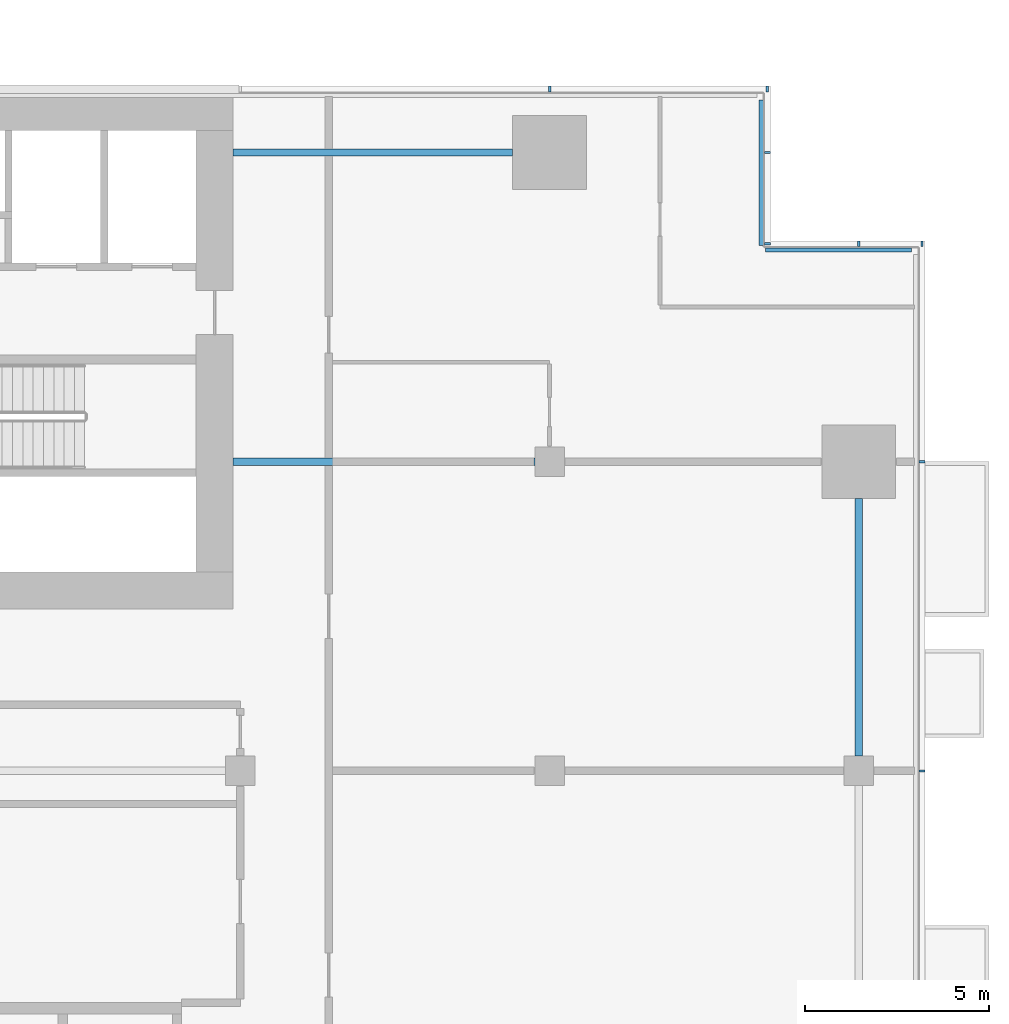
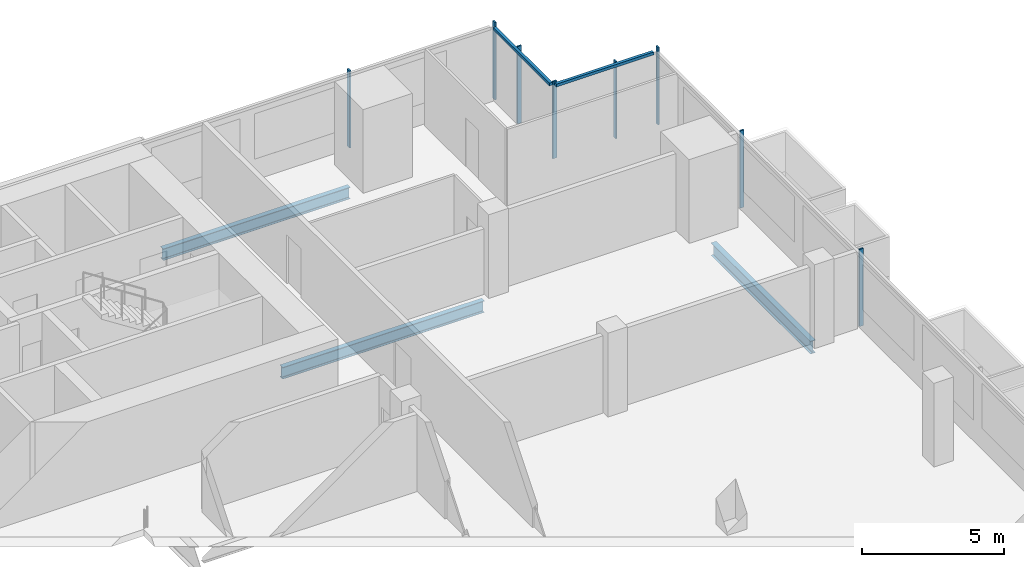
# One storey, part 13 of 26: 10 members, 3 beams, 4 elements without a shape of their own.
"""IFC4 building model written with IfcOpenShell, lengths in metres."""

from ifc_helpers import new_model, si_unit, direction, frame, origin, origin_2d, place, context, subcontext, project, spatial, rectangle, i_section, extrude, material, material_profile, profile_set, type_object, element, aggregate, save


model = new_model("IFC4")

# Units and contexts
model_context = context("Model", 3, precision=1e-05, world=origin(), true_north=direction((0.0, 1.0)))
body_context = subcontext(model_context, "Body", "Model", "MODEL_VIEW")
ifc_project = project(units=[si_unit("LENGTHUNIT", "METRE"), si_unit("AREAUNIT", "SQUARE_METRE"), si_unit("VOLUMEUNIT", "CUBIC_METRE"), si_unit("PLANEANGLEUNIT", "RADIAN"), si_unit("MASSUNIT", "GRAM", prefix="KILO")], contexts=[model_context])

# Site, building, storey
site_placement = place(None, origin())
site = spatial("IfcSite", under=ifc_project, at=site_placement, CompositionType="ELEMENT")
building_placement = place(site_placement, origin())
building = spatial("IfcBuilding", under=site, at=building_placement, Name="Saffron Gate Tower", CompositionType="ELEMENT")
storey_placement = place(building_placement, frame((0.0, 0.0, 98.85009765625)))
storey = spatial("IfcBuildingStorey", under=building, at=storey_placement, Name="L22", CompositionType="ELEMENT", Elevation=98.85009765625)

# Beams
ifc_material_1 = material(Name="Structural steel S355", Category="steel")
ifc_material_profile_1 = material_profile(ifc_material_1, i_section(OverallWidth=0.199951171875, OverallDepth=0.5, WebThickness=0.01025390625, FlangeThickness=0.01611328125, FilletRadius=0.02099609375, at=origin_2d()))
ifc_profile_set_1 = profile_set([ifc_material_profile_1], Name="Structural steel S355")
beam_type_1 = type_object("IfcBeamType", Name="B10 IPE 500", PredefinedType="BEAM", material=ifc_profile_set_1)
beam_1_placement = place(storey_placement, frame((116.60009765625, 65.39990234375, -0.530029296875), z_axis=(-1.0, 0.0, 0.0), x_axis=(0.0, -1.0, 0.0)))
element("IfcBeam", 1, at=beam_1_placement, inside=storey, type_object=beam_type_1, Name="B10 CORE TIE BEAM", PredefinedType="BEAM", context=body_context, shape_type="SweptSolid", body=[
    extrude(i_section(OverallWidth=0.199951171875, OverallDepth=0.5, WebThickness=0.01025390625, FlangeThickness=0.01611328125, FilletRadius=0.02099609375, at=origin_2d()), origin(), (0.0, 0.0, 1.0), 8.2001953125),
])
beam_2_placement = place(storey_placement, frame((116.0, 73.800048828125, -0.530029296875), z_axis=(-1.0, 0.0, 0.0), x_axis=(0.0, -1.0, 0.0)))
element("IfcBeam", 2, at=beam_2_placement, inside=storey, type_object=beam_type_1, Name="B10 CORE TIE BEAM", PredefinedType="BEAM", context=body_context, shape_type="SweptSolid", body=[
    extrude(i_section(OverallWidth=0.199951171875, OverallDepth=0.5, WebThickness=0.01025390625, FlangeThickness=0.01611328125, FilletRadius=0.02099609375, at=origin_2d()), origin(), (0.0, 0.0, 1.0), 7.60009765625),
])
ifc_material_profile_2 = material_profile(ifc_material_1, i_section(OverallWidth=0.2099609375, OverallDepth=0.550048828125, WebThickness=0.010986328125, FlangeThickness=0.01708984375, FilletRadius=0.02392578125, at=origin_2d()))
ifc_profile_set_2 = profile_set([ifc_material_profile_2], Name="Structural steel S355")
beam_type_2 = type_object("IfcBeamType", Name="B13 IPE 550", PredefinedType="SPANDREL", material=ifc_profile_set_2)
beam_3_placement = place(storey_placement, frame((125.39990234375, 57.39990234375, -0.55517578125), z_axis=(0.0, 1.0, 0.0), x_axis=(-1.0, 0.0, 0.0)))
element("IfcBeam", 3, at=beam_3_placement, inside=storey, type_object=beam_type_2, Name="B13 SPANDREL BEAM", PredefinedType="SPANDREL", context=body_context, shape_type="SweptSolid", body=[
    extrude(i_section(OverallWidth=0.2099609375, OverallDepth=0.550048828125, WebThickness=0.010986328125, FlangeThickness=0.01708984375, FilletRadius=0.02392578125, at=origin_2d()), origin(), (0.0, 0.0, 1.0), 7.0),
])

# Curtain wall, members
ifc_material_2 = material(Name="Aluminium, bronze anodised", Category="aluminium")
curtain_wall_type_1 = type_object("IfcCurtainWallType", Name="CWS2 curtain wall side facades", PredefinedType="NOTDEFINED", material=ifc_material_2)
curtain_wall_1_placement = place(storey_placement, origin())
curtain_wall_1 = element("IfcCurtainWall", 4, at=curtain_wall_1_placement, inside=storey, type_object=curtain_wall_type_1, Name="CWS2 run 4", PredefinedType="NOTDEFINED")
ifc_material_profile_3 = material_profile(ifc_material_2, rectangle(XDim=0.159912109375, YDim=0.06005859375, at=origin_2d()))
ifc_profile_set_3 = profile_set([ifc_material_profile_3], Name="Aluminium, bronze anodised")
member_type_1 = type_object("IfcMemberType", Name="CWS2 mullion 60x160", PredefinedType="MULLION", material=ifc_profile_set_3)
member_1_placement = place(storey_placement, frame((127.1201171875, 57.0, 0.0), z_axis=(0.0, 0.0, 1.0), x_axis=(-1.0, 0.0, 0.0)))
member_1 = element("IfcMember", 5, at=member_1_placement, type_object=member_type_1, Name="CWS2 mullion 4", PredefinedType="MULLION", context=body_context, shape_type="SweptSolid", body=[
    extrude(rectangle(XDim=0.159912109375, YDim=0.06005859375, at=origin_2d()), origin(), (0.0, 0.0, 1.0), 3.31982421875),
])
member_2_placement = place(storey_placement, frame((127.1201171875, 65.39990234375, 0.0), z_axis=(0.0, 0.0, 1.0), x_axis=(-1.0, 0.0, 0.0)))
member_2 = element("IfcMember", 6, at=member_2_placement, type_object=member_type_1, Name="CWS2 mullion 5", PredefinedType="MULLION", context=body_context, shape_type="SweptSolid", body=[
    extrude(rectangle(XDim=0.159912109375, YDim=0.06005859375, at=origin_2d()), origin(), (0.0, 0.0, 1.0), 3.31982421875),
])
aggregate(curtain_wall_1, [member_1, member_2])

curtain_wall_type_2 = type_object("IfcCurtainWallType", Name="CWS3 curtain wall rear facade", PredefinedType="NOTDEFINED", material=ifc_material_2)
curtain_wall_2_placement = place(storey_placement, origin())
curtain_wall_2 = element("IfcCurtainWall", 7, at=curtain_wall_2_placement, inside=storey, type_object=curtain_wall_type_2, Name="CWS3 run 7", PredefinedType="NOTDEFINED")
ifc_material_profile_4 = material_profile(ifc_material_2, rectangle(XDim=0.159912109375, YDim=0.070068359375, at=origin_2d()))
ifc_profile_set_4 = profile_set([ifc_material_profile_4], Name="Aluminium, bronze anodised")
member_type_2 = type_object("IfcMemberType", Name="CWS3 mullion 70x160", PredefinedType="MULLION", material=ifc_profile_set_4)
member_3_placement = place(storey_placement, frame((122.919921875, 75.52001953125, 0.0), z_axis=(0.0, 0.0, 1.0), x_axis=(0.0, -1.0, 0.0)))
member_3 = element("IfcMember", 8, at=member_3_placement, type_object=member_type_2, Name="CWS3 mullion 1", PredefinedType="MULLION", context=body_context, shape_type="SweptSolid", body=[
    extrude(rectangle(XDim=0.159912109375, YDim=0.070068359375, at=origin_2d()), origin(), (0.0, 0.0, 1.0), 3.31982421875),
])
member_4_placement = place(storey_placement, frame((117.0, 75.52001953125, 0.0), z_axis=(0.0, 0.0, 1.0), x_axis=(0.0, -1.0, 0.0)))
member_4 = element("IfcMember", 9, at=member_4_placement, type_object=member_type_2, Name="CWS3 mullion 2", PredefinedType="MULLION", context=body_context, shape_type="SweptSolid", body=[
    extrude(rectangle(XDim=0.159912109375, YDim=0.070068359375, at=origin_2d()), origin(), (0.0, 0.0, 1.0), 3.31982421875),
])
aggregate(curtain_wall_2, [member_3, member_4])

# Curtain wall, member
curtain_wall_type_3 = type_object("IfcCurtainWallType", Name="CWS4 curtain wall corner returns", PredefinedType="NOTDEFINED", material=ifc_material_2)
curtain_wall_3_placement = place(storey_placement, origin())
curtain_wall_3 = element("IfcCurtainWall", 10, at=curtain_wall_3_placement, inside=storey, type_object=curtain_wall_type_3, Name="CWS4 run 5", PredefinedType="NOTDEFINED")
ifc_material_profile_5 = material_profile(ifc_material_2, rectangle(XDim=0.1201171875, YDim=0.1201171875, at=origin_2d()))
ifc_profile_set_5 = profile_set([ifc_material_profile_5], Name="Aluminium, bronze anodised")
member_type_3 = type_object("IfcMemberType", Name="CWS4 head transom", PredefinedType="USERDEFINED", material=ifc_profile_set_5)
member_5_placement = place(storey_placement, frame((126.83203125, 71.152099609375, 3.260009765625), z_axis=(-1.0, 0.0, 0.0), x_axis=(0.0, -1.0, 0.0)))
member_5 = element("IfcMember", 11, at=member_5_placement, type_object=member_type_3, Name="CWS4 head transom", ObjectType="TRANSOM", PredefinedType="USERDEFINED", context=body_context, shape_type="SweptSolid", body=[
    extrude(rectangle(XDim=0.1201171875, YDim=0.1201171875, at=origin_2d()), origin(), (0.0, 0.0, 1.0), 3.9599609375),
])

curtain_wall_4_placement = place(storey_placement, origin())
curtain_wall_4 = element("IfcCurtainWall", 12, at=curtain_wall_4_placement, inside=storey, type_object=curtain_wall_type_3, Name="CWS4 run 6", PredefinedType="NOTDEFINED")
member_6_placement = place(storey_placement, frame((122.751953125, 71.27197265625, 3.260009765625), z_axis=(0.0, 1.0, 0.0), x_axis=(-1.0, 0.0, 0.0)))
member_6 = element("IfcMember", 13, at=member_6_placement, type_object=member_type_3, Name="CWS4 head transom", ObjectType="TRANSOM", PredefinedType="USERDEFINED", context=body_context, shape_type="SweptSolid", body=[
    extrude(rectangle(XDim=0.1201171875, YDim=0.1201171875, at=origin_2d()), origin(), (0.0, 0.0, 1.0), 3.9599609375),
])

# Member
ifc_material_profile_6 = material_profile(ifc_material_2, rectangle(XDim=0.159912109375, YDim=0.06005859375, at=origin_2d()))
ifc_profile_set_6 = profile_set([ifc_material_profile_6], Name="Aluminium, bronze anodised")
member_type_4 = type_object("IfcMemberType", Name="CWS4 mullion 60x160", PredefinedType="MULLION", material=ifc_profile_set_6)
member_7_placement = place(storey_placement, frame((127.1201171875, 71.320068359375, 0.0), z_axis=(0.0, 0.0, 1.0), x_axis=(0.0, -1.0, 0.0)))
member_7 = element("IfcMember", 14, at=member_7_placement, type_object=member_type_4, Name="CWS4 mullion 1", PredefinedType="MULLION", context=body_context, shape_type="SweptSolid", body=[
    extrude(rectangle(XDim=0.159912109375, YDim=0.06005859375, at=origin_2d()), origin(), (0.0, 0.0, 1.0), 3.31982421875),
])

member_8_placement = place(storey_placement, frame((125.39990234375, 71.320068359375, 0.0), z_axis=(0.0, 0.0, 1.0), x_axis=(0.0, -1.0, 0.0)))
member_8 = element("IfcMember", 15, at=member_8_placement, type_object=member_type_4, Name="CWS4 mullion 2", PredefinedType="MULLION", context=body_context, shape_type="SweptSolid", body=[
    extrude(rectangle(XDim=0.159912109375, YDim=0.06005859375, at=origin_2d()), origin(), (0.0, 0.0, 1.0), 3.31982421875),
])

aggregate(curtain_wall_3, [member_7, member_8, member_5])

member_9_placement = place(storey_placement, frame((122.919921875, 71.320068359375, 0.0), z_axis=(0.0, 0.0, 1.0), x_axis=(-1.0, 0.0, 0.0)))
member_9 = element("IfcMember", 16, at=member_9_placement, type_object=member_type_4, Name="CWS4 mullion 1", PredefinedType="MULLION", context=body_context, shape_type="SweptSolid", body=[
    extrude(rectangle(XDim=0.159912109375, YDim=0.06005859375, at=origin_2d()), origin(), (0.0, 0.0, 1.0), 3.31982421875),
])

member_10_placement = place(storey_placement, frame((122.919921875, 73.800048828125, 0.0), z_axis=(0.0, 0.0, 1.0), x_axis=(-1.0, 0.0, 0.0)))
member_10 = element("IfcMember", 17, at=member_10_placement, type_object=member_type_4, Name="CWS4 mullion 2", PredefinedType="MULLION", context=body_context, shape_type="SweptSolid", body=[
    extrude(rectangle(XDim=0.159912109375, YDim=0.06005859375, at=origin_2d()), origin(), (0.0, 0.0, 1.0), 3.31982421875),
])

aggregate(curtain_wall_4, [member_9, member_10, member_6])

save(model, "model.ifc")
